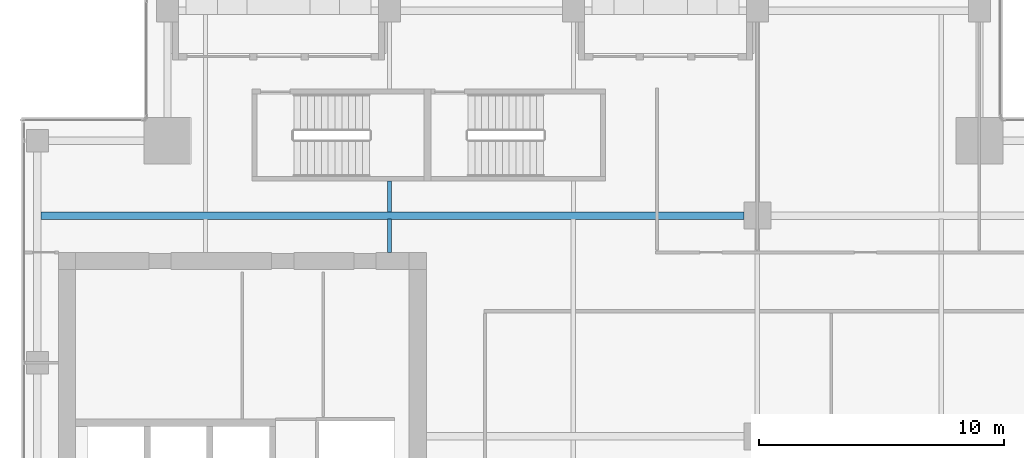
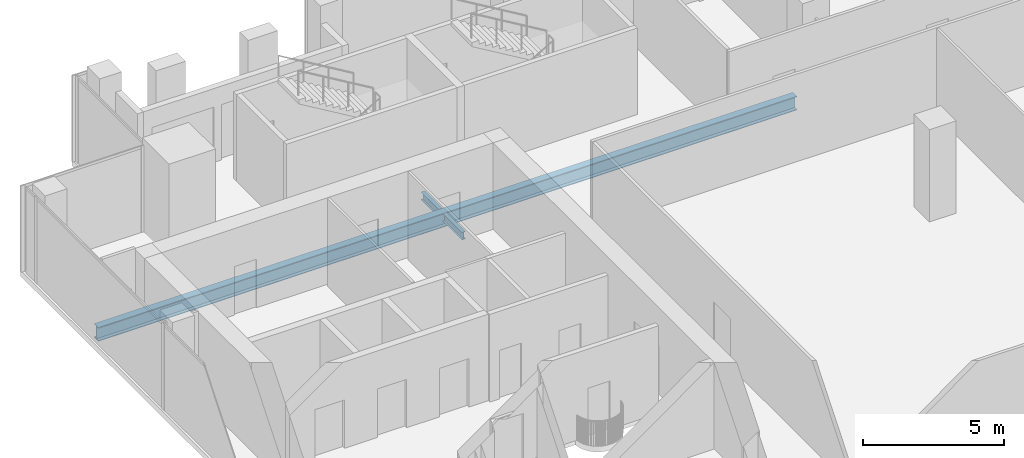
# One storey, part 17 of 35: 3 beams.
"""IFC4 building model written with IfcOpenShell, lengths in metres."""

from ifc_helpers import new_model, si_unit, direction, frame, origin, origin_2d, place, context, subcontext, project, spatial, i_section, extrude, source, transform, mapped, material, material_profile, profile_set, type_object, element, save


model = new_model("IFC4")

# Units and contexts
model_context = context("Model", 3, precision=1e-05, world=origin(), true_north=direction((0.0, 1.0)))
body_context = subcontext(model_context, "Body", "Model", "MODEL_VIEW")
ifc_project = project(units=[si_unit("LENGTHUNIT", "METRE"), si_unit("AREAUNIT", "SQUARE_METRE"), si_unit("VOLUMEUNIT", "CUBIC_METRE"), si_unit("PLANEANGLEUNIT", "RADIAN"), si_unit("MASSUNIT", "GRAM", prefix="KILO")], contexts=[model_context])

# Site, building, storey
site_placement = place(None, origin())
site = spatial("IfcSite", under=ifc_project, at=site_placement, CompositionType="ELEMENT")
building_placement = place(site_placement, origin())
building = spatial("IfcBuilding", under=site, at=building_placement, Name="Khomas Fold Tower", CompositionType="ELEMENT")
storey_placement = place(building_placement, frame((0.0, 0.0, 270.199951171875)))
storey = spatial("IfcBuildingStorey", under=building, at=storey_placement, Name="L61", CompositionType="ELEMENT", Elevation=270.199951171875)

# Beams
ifc_material_1 = material(Name="Steel S355", Category="steel")
ifc_material_profile_1 = material_profile(ifc_material_1, i_section(OverallWidth=0.159912109375, OverallDepth=0.330078125, WebThickness=0.007568359375, FlangeThickness=0.011474609375, at=origin_2d()), Name="IPE 330")
ifc_profile_set_1 = profile_set([ifc_material_profile_1], Name="Steel S355")
beam_type_1 = type_object("IfcBeamType", Name="IPE 330 beam JB1", PredefinedType="BEAM", material=ifc_profile_set_1)
shared_shape_1 = source(origin(), body_context, "Body", "SweptSolid", [
    extrude(i_section(OverallWidth=0.159912109375, OverallDepth=0.330078125, WebThickness=0.007568359375, FlangeThickness=0.011474609375, at=origin_2d()), origin(), (0.0, 0.0, 1.0), 1.25),
])
beam_1_placement = place(storey_placement, frame((19.5, 40.64990234375, -0.4150390625), z_axis=(0.0, 1.0, 0.0), x_axis=(-1.0, 0.0, 0.0)))
element("IfcBeam", 1, at=beam_1_placement, inside=storey, type_object=beam_type_1, Name="JB1", PredefinedType="BEAM", context=body_context, shape_type="MappedRepresentation", body=[
    mapped(shared_shape_1, transform((0.0, 0.0, 0.0))),
])
shared_shape_2 = source(origin(), body_context, "Body", "SweptSolid", [
    extrude(i_section(OverallWidth=0.159912109375, OverallDepth=0.330078125, WebThickness=0.007568359375, FlangeThickness=0.011474609375, at=origin_2d()), origin(), (0.0, 0.0, 1.0), 1.35009765625),
])
beam_2_placement = place(storey_placement, frame((19.5, 39.0, -0.4150390625), z_axis=(0.0, 1.0, 0.0), x_axis=(-1.0, 0.0, 0.0)))
element("IfcBeam", 2, at=beam_2_placement, inside=storey, type_object=beam_type_1, Name="JB1", PredefinedType="BEAM", context=body_context, shape_type="MappedRepresentation", body=[
    mapped(shared_shape_2, transform((0.0, 0.0, 0.0))),
])
ifc_material_2 = material(Name="Steel S355", Category="steel")
ifc_material_profile_2 = material_profile(ifc_material_2, i_section(OverallWidth=0.300048828125, OverallDepth=0.60009765625, WebThickness=0.015380859375, FlangeThickness=0.030029296875, at=origin_2d()), Name="HE 600 B")
ifc_profile_set_2 = profile_set([ifc_material_profile_2], Name="Steel S355")
beam_type_2 = type_object("IfcBeamType", Name="HE 600 B beam GB5", PredefinedType="BEAM", material=ifc_profile_set_2)
shared_shape_3 = source(origin(), body_context, "Body", "SweptSolid", [
    extrude(i_section(OverallWidth=0.300048828125, OverallDepth=0.60009765625, WebThickness=0.015380859375, FlangeThickness=0.030029296875, at=origin_2d()), origin(), (0.0, 0.0, 1.0), 28.64990234375),
])
beam_3_placement = place(storey_placement, frame((5.300048828125, 40.5, -0.550048828125), z_axis=(1.0, 0.0, 0.0), x_axis=(0.0, 1.0, 0.0)))
element("IfcBeam", 3, at=beam_3_placement, inside=storey, type_object=beam_type_2, Name="GB5", PredefinedType="BEAM", context=body_context, shape_type="MappedRepresentation", body=[
    mapped(shared_shape_3, transform((0.0, 0.0, 0.0))),
])

save(model, "model.ifc")
